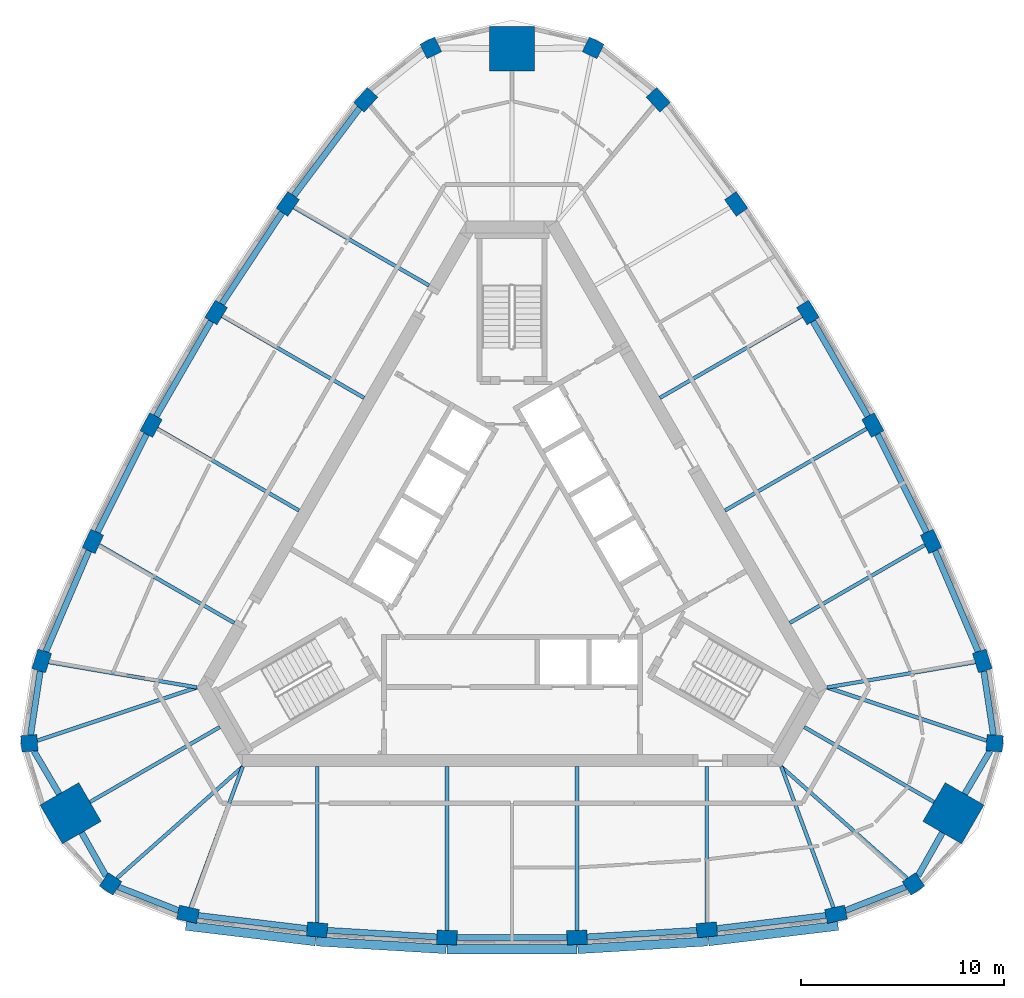
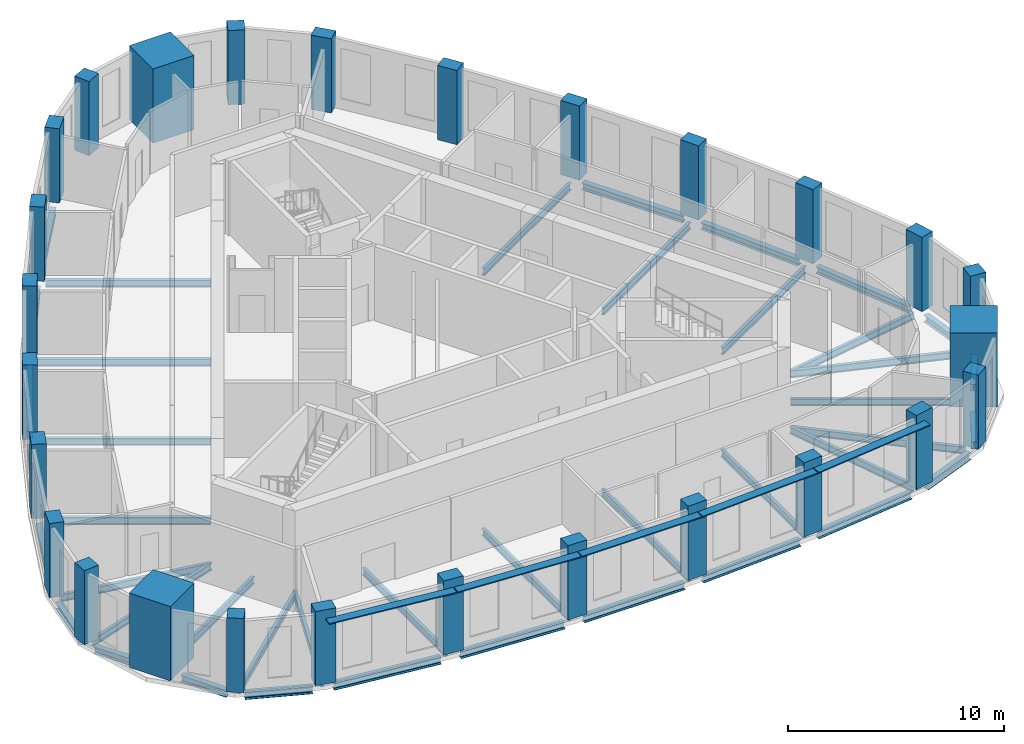
# One storey, part 1 of 10: 42 beams, 27 columns, 5 members.
"""IFC4 building model written with IfcOpenShell, lengths in metres."""

from ifc_helpers import new_model, si_unit, direction, frame, origin, origin_2d, place, context, subcontext, project, spatial, rectangle, i_section, extrude, material, material_profile, profile_set, type_object, element, save


model = new_model("IFC4")

# Units and contexts
model_context = context("Model", 3, precision=1e-05, world=origin(), true_north=direction((0.0, 1.0)))
body_context = subcontext(model_context, "Body", "Model", "MODEL_VIEW")
ifc_project = project(units=[si_unit("LENGTHUNIT", "METRE"), si_unit("AREAUNIT", "SQUARE_METRE"), si_unit("VOLUMEUNIT", "CUBIC_METRE"), si_unit("PLANEANGLEUNIT", "RADIAN"), si_unit("MASSUNIT", "GRAM", prefix="KILO")], contexts=[model_context])

# Site, building, storey
site_placement = place(None, origin())
site = spatial("IfcSite", under=ifc_project, at=site_placement, CompositionType="ELEMENT")
building_placement = place(site_placement, origin())
building = spatial("IfcBuilding", under=site, at=building_placement, Name="Mestral Congress Tower", CompositionType="ELEMENT")
storey_placement = place(building_placement, frame((0.0, 0.0, 296.39990234375)))
storey = spatial("IfcBuildingStorey", under=building, at=storey_placement, Name="L69", CompositionType="ELEMENT", Elevation=296.39990234375)

# Columns
ifc_material_1 = material(Name="Concrete C60/75", Category="concrete")
ifc_material_profile_1 = material_profile(ifc_material_1, rectangle(XDim=1.0, YDim=0.699951171875, at=origin_2d()), Name="RC 1000x700")
ifc_profile_set_1 = profile_set([ifc_material_profile_1], Name="Concrete C60/75")
column_type_1 = type_object("IfcColumnType", Name="Column RC 1000x700 C60/75", PredefinedType="COLUMN", material=ifc_profile_set_1)
for number, where, z_axis, x_axis, name in (
    (1, (-15.940673828125, -17.511962890625, 0.0), (0.0, 0.0, 1.0), (0.976233636503, -0.216720758026, 0.0), "COL-L69-C5-S00"),
    (2, (-9.587158203125, -18.273681640625, 0.0), (0.0, 0.0, 1.0), (0.995997816519, -0.089377567035, 0.0), "COL-L69-C5-S01"),
    (3, (-3.199462890625, -18.6552734375, 0.0), (0.0, 0.0, 1.0), (0.999555031657, -0.029828487872, 0.0), "COL-L69-C5-S02"),
    (4, (3.199462890625, -18.6552734375, 0.0), (0.0, 0.0, 1.0), (0.999555031657, 0.029828487872, 0.0), "COL-L69-C5-S03"),
    (5, (9.587158203125, -18.273681640625, 0.0), (0.0, 0.0, 1.0), (0.995997816519, 0.089377567035, 0.0), "COL-L69-C5-S04"),
    (6, (15.940673828125, -17.511962890625, 0.0), (0.0, 0.0, 1.0), (0.976233636503, 0.216720758026, 0.0), "COL-L69-C5-S05"),
    (7, (23.135986328125, -5.049072265625, 0.0), (0.0, 0.0, 1.0), (-0.300431136274, 0.953803508254, 0.0), "COL-L69-C5-E00"),
    (8, (20.618896484375, 0.833984375, 0.0), (0.0, 0.0, 1.0), (-0.420595664679, 0.907248194737, 0.0), "COL-L69-C5-E01"),
    (9, (17.755615234375, 6.556640625, 0.0), (0.0, 0.0, 1.0), (-0.473945287575, 0.880554293832, 0.0), "COL-L69-C5-E02"),
    (10, (14.55615234375, 12.098388671875, 0.0), (0.0, 0.0, 1.0), (-0.525609744083, 0.850725805959, 0.0), "COL-L69-C5-E03"),
    (11, (11.031982421875, 17.439697265625, 0.0), (0.0, 0.0, 1.0), (-0.57540215184, 0.817870627702, 0.0), "COL-L69-C5-E04"),
    (12, (7.1953125, 22.56103515625, 0.0), (0.0, 0.0, 1.0), (-0.67580250023, 0.737082750228, 0.0), "COL-L69-C5-E05"),
    (13, (-7.1953125, 22.56103515625, 0.0), (0.0, 0.0, 1.0), (-0.67580250023, -0.737082750228, 0.0), "COL-L69-C5-W00"),
    (14, (-11.031982421875, 17.439697265625, 0.0), (0.0, 0.0, 1.0), (-0.57540215184, -0.817870627702, 0.0), "COL-L69-C5-W01"),
    (15, (-14.55615234375, 12.098388671875, 0.0), (0.0, 0.0, 1.0), (-0.525609744083, -0.850725805959, 0.0), "COL-L69-C5-W02"),
    (16, (-17.755615234375, 6.556640625, 0.0), (0.0, 0.0, 1.0), (-0.473945287575, -0.880554293832, 0.0), "COL-L69-C5-W03"),
    (17, (-20.618896484375, 0.833984375, 0.0), (0.0, 0.0, 1.0), (-0.420595664679, -0.907248194737, 0.0), "COL-L69-C5-W04"),
    (18, (-23.135986328125, -5.049072265625, 0.0), (0.0, 0.0, 1.0), (-0.300431136274, -0.953803508254, 0.0), "COL-L69-C5-W05"),
):
    element("IfcColumn", number, at=place(storey_placement, frame(where, z_axis=z_axis, x_axis=x_axis)), inside=storey, type_object=column_type_1, Name=name, PredefinedType="COLUMN", context=body_context, shape_type="SweptSolid", body=[
        extrude(rectangle(XDim=1.0, YDim=0.699951171875, at=origin_2d()), origin(), (0.0, 0.0, 1.0), 4.2001953125),
    ])
ifc_material_profile_2 = material_profile(ifc_material_1, rectangle(XDim=0.800048828125, YDim=0.800048828125, at=origin_2d()), Name="RC 800x800")
ifc_profile_set_2 = profile_set([ifc_material_profile_2], Name="Concrete C60/75")
column_type_2 = type_object("IfcColumnType", Name="Column RC 800x800 C60/75", PredefinedType="COLUMN", material=ifc_profile_set_2)
for number, where, z_axis, x_axis, name in (
    (19, (19.75439453125, -16.0166015625, 0.0), (0.0, 0.0, 1.0), (0.826362775296, 0.563138139008, 0.0), "COL-L69-C5-SE1"),
    (20, (23.748046875, -9.099609375, 0.0), (0.0, 0.0, 1.0), (0.074510546573, 0.997220225652, 0.0), "COL-L69-C5-SE3"),
    (21, (3.993408203125, 25.1162109375, 0.0), (0.0, 0.0, 1.0), (-0.900873321869, 0.434082086644, 0.0), "COL-L69-C5-N1"),
    (22, (-3.993408203125, 25.1162109375, 0.0), (0.0, 0.0, 1.0), (-0.900873321869, -0.434082086644, 0.0), "COL-L69-C5-N3"),
    (23, (-23.748046875, -9.099609375, 0.0), (0.0, 0.0, 1.0), (0.074510546573, -0.997220225652, 0.0), "COL-L69-C5-SW1"),
    (24, (-19.75439453125, -16.0166015625, 0.0), (0.0, 0.0, 1.0), (0.826362775296, -0.563138139008, 0.0), "COL-L69-C5-SW3"),
):
    element("IfcColumn", number, at=place(storey_placement, frame(where, z_axis=z_axis, x_axis=x_axis)), inside=storey, type_object=column_type_2, Name=name, PredefinedType="COLUMN", context=body_context, shape_type="SweptSolid", body=[
        extrude(rectangle(XDim=0.800048828125, YDim=0.800048828125, at=origin_2d()), origin(), (0.0, 0.0, 1.0), 4.2001953125),
    ])
ifc_material_profile_3 = material_profile(ifc_material_1, rectangle(XDim=2.199951171875, YDim=2.199951171875, at=origin_2d()), Name="RC 2200x2200")
ifc_profile_set_3 = profile_set([ifc_material_profile_3], Name="Concrete C60/75")
column_type_3 = type_object("IfcColumnType", Name="Mega column RC 2200x2200 C60/75", PredefinedType="COLUMN", material=ifc_profile_set_3)
for number, where, z_axis, x_axis, name in (
    (25, (21.71826171875, -12.5390625, 0.0), (0.0, 0.0, 1.0), (0.866025403784, -0.5, 0.0), "COL-L69-PY5-SE"),
    (26, (0.0, 25.078125, 0.0), (0.0, 0.0, 1.0), (0.0, 1.0, 0.0), "COL-L69-PY5-N"),
    (27, (-21.71826171875, -12.5390625, 0.0), (0.0, 0.0, 1.0), (-0.866025403784, -0.5, 0.0), "COL-L69-PY5-SW"),
):
    element("IfcColumn", number, at=place(storey_placement, frame(where, z_axis=z_axis, x_axis=x_axis)), inside=storey, type_object=column_type_3, Name=name, PredefinedType="COLUMN", context=body_context, shape_type="SweptSolid", body=[
        extrude(rectangle(XDim=2.199951171875, YDim=2.199951171875, at=origin_2d()), origin(), (0.0, 0.0, 1.0), 4.2001953125),
    ])

# Members
ifc_material_2 = material(Name="Glazed ceramic", Category="masonry")
ifc_material_profile_4 = material_profile(ifc_material_2, rectangle(XDim=0.449951171875, YDim=0.06005859375, at=origin_2d()), Name="Ceramic blade 450 x 60")
ifc_profile_set_4 = profile_set([ifc_material_profile_4], Name="Glazed ceramic")
member_type = type_object("IfcMemberType", Name="Facade sunshade blade 450 x 60", PredefinedType="USERDEFINED", material=ifc_profile_set_4)
member_1_placement = place(storey_placement, frame((-16.04638671875, -18.078369140625, 3.68017578125), z_axis=(0.992890306953, -0.119032929725, 0.0), x_axis=(0.119032929725, 0.992890306953, 0.0)))
element("IfcMember", 28, at=member_1_placement, inside=storey, type_object=member_type, Name="Sunshade F0-00", ObjectType="SUNSHADE", PredefinedType="USERDEFINED", context=body_context, shape_type="SweptSolid", body=[
    extrude(rectangle(XDim=0.449951171875, YDim=0.06005859375, at=origin_2d()), origin(), (0.0, 0.0, 1.0), 6.429931640625),
])
member_2_placement = place(storey_placement, frame((-9.614990234375, -18.84814453125, 3.68017578125), z_axis=(0.998222174469, -0.059602771735, 0.0), x_axis=(0.059602771735, 0.998222174469, 0.0)))
element("IfcMember", 29, at=member_2_placement, inside=storey, type_object=member_type, Name="Sunshade F0-01", ObjectType="SUNSHADE", PredefinedType="USERDEFINED", context=body_context, shape_type="SweptSolid", body=[
    extrude(rectangle(XDim=0.449951171875, YDim=0.06005859375, at=origin_2d()), origin(), (0.0, 0.0, 1.0), 6.385986328125),
])
member_3_placement = place(storey_placement, frame((-3.193115234375, -19.230224609375, 3.68017578125), z_axis=(1.0, 0.0, 0.0), x_axis=(0.0, 1.0, 0.0)))
element("IfcMember", 30, at=member_3_placement, inside=storey, type_object=member_type, Name="Sunshade F0-02", ObjectType="SUNSHADE", PredefinedType="USERDEFINED", context=body_context, shape_type="SweptSolid", body=[
    extrude(rectangle(XDim=0.449951171875, YDim=0.06005859375, at=origin_2d()), origin(), (0.0, 0.0, 1.0), 6.38623046875),
])
member_4_placement = place(storey_placement, frame((3.240478515625, -19.228759765625, 3.68017578125), z_axis=(0.998222174469, 0.059602771735, 0.0), x_axis=(-0.059602771735, 0.998222174469, 0.0)))
element("IfcMember", 31, at=member_4_placement, inside=storey, type_object=member_type, Name="Sunshade F0-03", ObjectType="SUNSHADE", PredefinedType="USERDEFINED", context=body_context, shape_type="SweptSolid", body=[
    extrude(rectangle(XDim=0.449951171875, YDim=0.06005859375, at=origin_2d()), origin(), (0.0, 0.0, 1.0), 6.385986328125),
])
member_5_placement = place(storey_placement, frame((9.662109375, -18.84375, 3.68017578125), z_axis=(0.992890306953, 0.119032929725, 0.0), x_axis=(-0.119032929725, 0.992890306953, 0.0)))
element("IfcMember", 32, at=member_5_placement, inside=storey, type_object=member_type, Name="Sunshade F0-04", ObjectType="SUNSHADE", PredefinedType="USERDEFINED", context=body_context, shape_type="SweptSolid", body=[
    extrude(rectangle(XDim=0.449951171875, YDim=0.06005859375, at=origin_2d()), origin(), (0.0, 0.0, 1.0), 6.429931640625),
])

# Beams
ifc_material_3 = material(Name="Steel S355", Category="steel")
ifc_material_profile_5 = material_profile(ifc_material_3, i_section(OverallWidth=0.179931640625, OverallDepth=0.39990234375, WebThickness=0.008544921875, FlangeThickness=0.013427734375, FilletRadius=0.02099609375, at=origin_2d()), Name="IPE 400")
ifc_profile_set_5 = profile_set([ifc_material_profile_5], Name="Steel S355")
beam_type_1 = type_object("IfcBeamType", Name="Floor beam IPE 400 S355", PredefinedType="BEAM", material=ifc_profile_set_5)
beam_1_placement = place(storey_placement, frame((-15.81787109375, -17.1806640625, -0.449951171875), z_axis=(0.347399345496, 0.937717278687, 0.0), x_axis=(-0.937717278687, 0.347399345496, 0.0)))
element("IfcBeam", 33, at=beam_1_placement, inside=storey, type_object=beam_type_1, Name="BM-L69-RB5-S00", PredefinedType="BEAM", context=body_context, shape_type="SweptSolid", body=[
    extrude(i_section(OverallWidth=0.179931640625, OverallDepth=0.39990234375, WebThickness=0.008544921875, FlangeThickness=0.013427734375, FilletRadius=0.02099609375, at=origin_2d()), origin(), (0.0, 0.0, 1.0), 7.39111328125),
])
beam_2_placement = place(storey_placement, frame((-9.587158203125, -17.92236328125, -0.449951171875), z_axis=(0.0, 1.0, 0.0), x_axis=(-1.0, 0.0, 0.0)))
element("IfcBeam", 34, at=beam_2_placement, inside=storey, type_object=beam_type_1, Name="BM-L69-RB5-S01", PredefinedType="BEAM", context=body_context, shape_type="SweptSolid", body=[
    extrude(i_section(OverallWidth=0.179931640625, OverallDepth=0.39990234375, WebThickness=0.008544921875, FlangeThickness=0.013427734375, FilletRadius=0.02099609375, at=origin_2d()), origin(), (0.0, 0.0, 1.0), 7.67236328125),
])
for number, where, z_axis, x_axis, name in (
    (35, (-3.199462890625, -18.304931640625, -0.449951171875), (0.0, 1.0, 0.0), (-1.0, 0.0, 0.0), "BM-L69-RB5-S02"),
    (36, (3.199462890625, -18.304931640625, -0.449951171875), (0.0, 1.0, 0.0), (-1.0, 0.0, 0.0), "BM-L69-RB5-S03"),
):
    element("IfcBeam", number, at=place(storey_placement, frame(where, z_axis=z_axis, x_axis=x_axis)), inside=storey, type_object=beam_type_1, Name=name, PredefinedType="BEAM", context=body_context, shape_type="SweptSolid", body=[
        extrude(i_section(OverallWidth=0.179931640625, OverallDepth=0.39990234375, WebThickness=0.008544921875, FlangeThickness=0.013427734375, FilletRadius=0.02099609375, at=origin_2d()), origin(), (0.0, 0.0, 1.0), 8.054931640625),
    ])
beam_3_placement = place(storey_placement, frame((9.587158203125, -17.92236328125, -0.449951171875), z_axis=(0.0, 1.0, 0.0), x_axis=(-1.0, 0.0, 0.0)))
element("IfcBeam", 37, at=beam_3_placement, inside=storey, type_object=beam_type_1, Name="BM-L69-RB5-S04", PredefinedType="BEAM", context=body_context, shape_type="SweptSolid", body=[
    extrude(i_section(OverallWidth=0.179931640625, OverallDepth=0.39990234375, WebThickness=0.008544921875, FlangeThickness=0.013427734375, FilletRadius=0.02099609375, at=origin_2d()), origin(), (0.0, 0.0, 1.0), 7.67236328125),
])
beam_4_placement = place(storey_placement, frame((15.81787109375, -17.1806640625, -0.449951171875), z_axis=(-0.347399345496, 0.937717278687, 0.0), x_axis=(-0.937717278687, -0.347399345496, 0.0)))
element("IfcBeam", 38, at=beam_4_placement, inside=storey, type_object=beam_type_1, Name="BM-L69-RB5-S05", PredefinedType="BEAM", context=body_context, shape_type="SweptSolid", body=[
    extrude(i_section(OverallWidth=0.179931640625, OverallDepth=0.39990234375, WebThickness=0.008544921875, FlangeThickness=0.013427734375, FilletRadius=0.02099609375, at=origin_2d()), origin(), (0.0, 0.0, 1.0), 7.39111328125),
])
beam_5_placement = place(storey_placement, frame((19.44580078125, -15.742919921875, -0.449951171875), z_axis=(-0.74826277439, 0.663402457383, 0.0), x_axis=(-0.663402457383, -0.74826277439, 0.0)))
element("IfcBeam", 39, at=beam_5_placement, inside=storey, type_object=beam_type_1, Name="BM-L69-RB5-SE1", PredefinedType="BEAM", context=body_context, shape_type="SweptSolid", body=[
    extrude(i_section(OverallWidth=0.179931640625, OverallDepth=0.39990234375, WebThickness=0.008544921875, FlangeThickness=0.013427734375, FilletRadius=0.02099609375, at=origin_2d()), origin(), (0.0, 0.0, 1.0), 8.280029296875),
])
beam_6_placement = place(storey_placement, frame((20.765625, -11.989013671875, -0.449951171875), z_axis=(-0.866031296205, 0.499989793889, 0.0), x_axis=(-0.499989793889, -0.866031296205, 0.0)))
element("IfcBeam", 40, at=beam_6_placement, inside=storey, type_object=beam_type_1, Name="BM-L69-RB5-SE", PredefinedType="BEAM", context=body_context, shape_type="SweptSolid", body=[
    extrude(i_section(OverallWidth=0.179931640625, OverallDepth=0.39990234375, WebThickness=0.008544921875, FlangeThickness=0.013427734375, FilletRadius=0.02099609375, at=origin_2d()), origin(), (0.0, 0.0, 1.0), 7.378173828125),
])
beam_7_placement = place(storey_placement, frame((23.356689453125, -8.968994140625, -0.449951171875), z_axis=(-0.948659706446, 0.316298532031, 0.0), x_axis=(-0.316298532031, -0.948659706446, 0.0)))
element("IfcBeam", 41, at=beam_7_placement, inside=storey, type_object=beam_type_1, Name="BM-L69-RB5-SE3", PredefinedType="BEAM", context=body_context, shape_type="SweptSolid", body=[
    extrude(i_section(OverallWidth=0.179931640625, OverallDepth=0.39990234375, WebThickness=0.008544921875, FlangeThickness=0.013427734375, FilletRadius=0.02099609375, at=origin_2d()), origin(), (0.0, 0.0, 1.0), 8.27978515625),
])
beam_8_placement = place(storey_placement, frame((22.787841796875, -5.1083984375, -0.449951171875), z_axis=(-0.985786503242, -0.168002886958, 0.0), x_axis=(0.168002886958, -0.985786503242, 0.0)))
element("IfcBeam", 42, at=beam_8_placement, inside=storey, type_object=beam_type_1, Name="BM-L69-RB5-E00", PredefinedType="BEAM", context=body_context, shape_type="SweptSolid", body=[
    extrude(i_section(OverallWidth=0.179931640625, OverallDepth=0.39990234375, WebThickness=0.008544921875, FlangeThickness=0.013427734375, FilletRadius=0.02099609375, at=origin_2d()), origin(), (0.0, 0.0, 1.0), 7.390869140625),
])
beam_9_placement = place(storey_placement, frame((20.314697265625, 0.658447265625, -0.449951171875), z_axis=(-0.866019720907, -0.500009842903, 0.0), x_axis=(0.500009842903, -0.866019720907, 0.0)))
element("IfcBeam", 43, at=beam_9_placement, inside=storey, type_object=beam_type_1, Name="BM-L69-RB5-E01", PredefinedType="BEAM", context=body_context, shape_type="SweptSolid", body=[
    extrude(i_section(OverallWidth=0.179931640625, OverallDepth=0.39990234375, WebThickness=0.008544921875, FlangeThickness=0.013427734375, FilletRadius=0.02099609375, at=origin_2d()), origin(), (0.0, 0.0, 1.0), 7.672119140625),
])
for number, where, z_axis, x_axis, name in (
    (44, (17.452392578125, 6.381591796875, -0.449951171875), (-0.866020537834, -0.500008427979, 0.0), (0.500008427979, -0.866020537834, 0.0), "BM-L69-RB5-E02"),
    (45, (14.2529296875, 11.92333984375, -0.449951171875), (-0.866033662086, -0.499985695929, 0.0), (0.499985695929, -0.866033662086, 0.0), "BM-L69-RB5-E03"),
):
    element("IfcBeam", number, at=place(storey_placement, frame(where, z_axis=z_axis, x_axis=x_axis)), inside=storey, type_object=beam_type_1, Name=name, PredefinedType="BEAM", context=body_context, shape_type="SweptSolid", body=[
        extrude(i_section(OverallWidth=0.179931640625, OverallDepth=0.39990234375, WebThickness=0.008544921875, FlangeThickness=0.013427734375, FilletRadius=0.02099609375, at=origin_2d()), origin(), (0.0, 0.0, 1.0), 8.054931640625),
    ])
beam_10_placement = place(storey_placement, frame((-10.7275390625, 17.263916015625, -0.449951171875), z_axis=(0.866019720907, -0.500009842903, 0.0), x_axis=(0.500009842903, 0.866019720907, 0.0)))
element("IfcBeam", 46, at=beam_10_placement, inside=storey, type_object=beam_type_1, Name="BM-L69-RB5-W01", PredefinedType="BEAM", context=body_context, shape_type="SweptSolid", body=[
    extrude(i_section(OverallWidth=0.179931640625, OverallDepth=0.39990234375, WebThickness=0.008544921875, FlangeThickness=0.013427734375, FilletRadius=0.02099609375, at=origin_2d()), origin(), (0.0, 0.0, 1.0), 7.672119140625),
])
for number, where, z_axis, x_axis, name in (
    (47, (-14.2529296875, 11.92333984375, -0.449951171875), (0.866033662086, -0.499985695929, 0.0), (0.499985695929, 0.866033662086, 0.0), "BM-L69-RB5-W02"),
    (48, (-17.452392578125, 6.381591796875, -0.449951171875), (0.866020537834, -0.500008427979, 0.0), (0.500008427979, 0.866020537834, 0.0), "BM-L69-RB5-W03"),
):
    element("IfcBeam", number, at=place(storey_placement, frame(where, z_axis=z_axis, x_axis=x_axis)), inside=storey, type_object=beam_type_1, Name=name, PredefinedType="BEAM", context=body_context, shape_type="SweptSolid", body=[
        extrude(i_section(OverallWidth=0.179931640625, OverallDepth=0.39990234375, WebThickness=0.008544921875, FlangeThickness=0.013427734375, FilletRadius=0.02099609375, at=origin_2d()), origin(), (0.0, 0.0, 1.0), 8.054931640625),
    ])
beam_11_placement = place(storey_placement, frame((-20.314697265625, 0.658447265625, -0.449951171875), z_axis=(0.866019720907, -0.500009842903, 0.0), x_axis=(0.500009842903, 0.866019720907, 0.0)))
element("IfcBeam", 49, at=beam_11_placement, inside=storey, type_object=beam_type_1, Name="BM-L69-RB5-W04", PredefinedType="BEAM", context=body_context, shape_type="SweptSolid", body=[
    extrude(i_section(OverallWidth=0.179931640625, OverallDepth=0.39990234375, WebThickness=0.008544921875, FlangeThickness=0.013427734375, FilletRadius=0.02099609375, at=origin_2d()), origin(), (0.0, 0.0, 1.0), 7.672119140625),
])
beam_12_placement = place(storey_placement, frame((-22.787841796875, -5.1083984375, -0.449951171875), z_axis=(0.985786503242, -0.168002886958, 0.0), x_axis=(0.168002886958, 0.985786503242, 0.0)))
element("IfcBeam", 50, at=beam_12_placement, inside=storey, type_object=beam_type_1, Name="BM-L69-RB5-W05", PredefinedType="BEAM", context=body_context, shape_type="SweptSolid", body=[
    extrude(i_section(OverallWidth=0.179931640625, OverallDepth=0.39990234375, WebThickness=0.008544921875, FlangeThickness=0.013427734375, FilletRadius=0.02099609375, at=origin_2d()), origin(), (0.0, 0.0, 1.0), 7.390869140625),
])
beam_13_placement = place(storey_placement, frame((-23.356689453125, -8.968994140625, -0.449951171875), z_axis=(0.948659706446, 0.316298532031, 0.0), x_axis=(-0.316298532031, 0.948659706446, 0.0)))
element("IfcBeam", 51, at=beam_13_placement, inside=storey, type_object=beam_type_1, Name="BM-L69-RB5-SW1", PredefinedType="BEAM", context=body_context, shape_type="SweptSolid", body=[
    extrude(i_section(OverallWidth=0.179931640625, OverallDepth=0.39990234375, WebThickness=0.008544921875, FlangeThickness=0.013427734375, FilletRadius=0.02099609375, at=origin_2d()), origin(), (0.0, 0.0, 1.0), 8.27978515625),
])
beam_14_placement = place(storey_placement, frame((-20.765625, -11.989013671875, -0.449951171875), z_axis=(0.866031296205, 0.499989793889, 0.0), x_axis=(-0.499989793889, 0.866031296205, 0.0)))
element("IfcBeam", 52, at=beam_14_placement, inside=storey, type_object=beam_type_1, Name="BM-L69-RB5-SW", PredefinedType="BEAM", context=body_context, shape_type="SweptSolid", body=[
    extrude(i_section(OverallWidth=0.179931640625, OverallDepth=0.39990234375, WebThickness=0.008544921875, FlangeThickness=0.013427734375, FilletRadius=0.02099609375, at=origin_2d()), origin(), (0.0, 0.0, 1.0), 7.378173828125),
])
beam_15_placement = place(storey_placement, frame((-19.44580078125, -15.742919921875, -0.449951171875), z_axis=(0.74826277439, 0.663402457383, 0.0), x_axis=(-0.663402457383, 0.74826277439, 0.0)))
element("IfcBeam", 53, at=beam_15_placement, inside=storey, type_object=beam_type_1, Name="BM-L69-RB5-SW3", PredefinedType="BEAM", context=body_context, shape_type="SweptSolid", body=[
    extrude(i_section(OverallWidth=0.179931640625, OverallDepth=0.39990234375, WebThickness=0.008544921875, FlangeThickness=0.013427734375, FilletRadius=0.02099609375, at=origin_2d()), origin(), (0.0, 0.0, 1.0), 8.280029296875),
])
ifc_material_profile_6 = material_profile(ifc_material_3, i_section(OverallWidth=0.300048828125, OverallDepth=0.389892578125, WebThickness=0.010986328125, FlangeThickness=0.01904296875, FilletRadius=0.027099609375, at=origin_2d()), Name="HEA 400")
ifc_profile_set_6 = profile_set([ifc_material_profile_6], Name="Steel S355")
beam_type_2 = type_object("IfcBeamType", Name="Spandrel beam HEA 400 S355", PredefinedType="BEAM", material=ifc_profile_set_6)
beam_16_placement = place(storey_placement, frame((-15.44189453125, -17.57177734375, -0.44482421875), z_axis=(0.992890319222, -0.119032827389, 0.0), x_axis=(0.119032827389, 0.992890319222, 0.0)))
element("IfcBeam", 54, at=beam_16_placement, inside=storey, type_object=beam_type_2, Name="SP-L69-SB5-S00", PredefinedType="BEAM", context=body_context, shape_type="SweptSolid", body=[
    extrude(i_section(OverallWidth=0.300048828125, OverallDepth=0.389892578125, WebThickness=0.010986328125, FlangeThickness=0.01904296875, FilletRadius=0.027099609375, at=origin_2d()), origin(), (0.0, 0.0, 1.0), 5.396240234375),
])
beam_17_placement = place(storey_placement, frame((-9.087890625, -18.303466796875, -0.44482421875), z_axis=(0.998219522722, -0.059647166371, 0.0), x_axis=(0.059647166371, 0.998219522722, 0.0)))
element("IfcBeam", 55, at=beam_17_placement, inside=storey, type_object=beam_type_2, Name="SP-L69-SB5-S01", PredefinedType="BEAM", context=body_context, shape_type="SweptSolid", body=[
    extrude(i_section(OverallWidth=0.300048828125, OverallDepth=0.389892578125, WebThickness=0.010986328125, FlangeThickness=0.01904296875, FilletRadius=0.027099609375, at=origin_2d()), origin(), (0.0, 0.0, 1.0), 5.398681640625),
])
beam_18_placement = place(storey_placement, frame((-2.69921875, -18.6552734375, -0.44482421875), z_axis=(1.0, 0.0, 0.0), x_axis=(0.0, 1.0, 0.0)))
element("IfcBeam", 56, at=beam_18_placement, inside=storey, type_object=beam_type_2, Name="SP-L69-SB5-S02", PredefinedType="BEAM", context=body_context, shape_type="SweptSolid", body=[
    extrude(i_section(OverallWidth=0.300048828125, OverallDepth=0.389892578125, WebThickness=0.010986328125, FlangeThickness=0.01904296875, FilletRadius=0.027099609375, at=origin_2d()), origin(), (0.0, 0.0, 1.0), 5.3984375),
])
beam_19_placement = place(storey_placement, frame((3.69873046875, -18.62548828125, -0.44482421875), z_axis=(0.998219522722, 0.059647166371, 0.0), x_axis=(-0.059647166371, 0.998219522722, 0.0)))
element("IfcBeam", 57, at=beam_19_placement, inside=storey, type_object=beam_type_2, Name="SP-L69-SB5-S03", PredefinedType="BEAM", context=body_context, shape_type="SweptSolid", body=[
    extrude(i_section(OverallWidth=0.300048828125, OverallDepth=0.389892578125, WebThickness=0.010986328125, FlangeThickness=0.01904296875, FilletRadius=0.027099609375, at=origin_2d()), origin(), (0.0, 0.0, 1.0), 5.398681640625),
])
beam_20_placement = place(storey_placement, frame((10.083984375, -18.214111328125, -0.44482421875), z_axis=(0.992890319222, 0.119032827389, 0.0), x_axis=(-0.119032827389, 0.992890319222, 0.0)))
element("IfcBeam", 58, at=beam_20_placement, inside=storey, type_object=beam_type_2, Name="SP-L69-SB5-S04", PredefinedType="BEAM", context=body_context, shape_type="SweptSolid", body=[
    extrude(i_section(OverallWidth=0.300048828125, OverallDepth=0.389892578125, WebThickness=0.010986328125, FlangeThickness=0.01904296875, FilletRadius=0.027099609375, at=origin_2d()), origin(), (0.0, 0.0, 1.0), 5.396240234375),
])
beam_21_placement = place(storey_placement, frame((16.411865234375, -17.3271484375, -0.44482421875), z_axis=(0.930980873283, 0.365067957485, 0.0), x_axis=(-0.365067957485, 0.930980873283, 0.0)))
element("IfcBeam", 59, at=beam_21_placement, inside=storey, type_object=beam_type_2, Name="SP-L69-SB5-S05", PredefinedType="BEAM", context=body_context, shape_type="SweptSolid", body=[
    extrude(i_section(OverallWidth=0.300048828125, OverallDepth=0.389892578125, WebThickness=0.010986328125, FlangeThickness=0.01904296875, FilletRadius=0.027099609375, at=origin_2d()), origin(), (0.0, 0.0, 1.0), 3.179931640625),
])
beam_22_placement = place(storey_placement, frame((19.9736328125, -15.628173828125, -0.44482421875), z_axis=(0.491728558518, 0.870748542771, 0.0), x_axis=(-0.870748542771, 0.491728558518, 0.0)))
element("IfcBeam", 60, at=beam_22_placement, inside=storey, type_object=beam_type_2, Name="SP-L69-SB5-SE1", PredefinedType="BEAM", context=body_context, shape_type="SweptSolid", body=[
    extrude(i_section(OverallWidth=0.300048828125, OverallDepth=0.389892578125, WebThickness=0.010986328125, FlangeThickness=0.01904296875, FilletRadius=0.027099609375, at=origin_2d()), origin(), (0.0, 0.0, 1.0), 2.44775390625),
])
beam_23_placement = place(storey_placement, frame((22.27734375, -11.591552734375, -0.44482421875), z_axis=(0.508218412694, 0.861228218882, 0.0), x_axis=(-0.861228218882, 0.508218412694, 0.0)))
element("IfcBeam", 61, at=beam_23_placement, inside=storey, type_object=beam_type_2, Name="SP-L69-SB5-SE", PredefinedType="BEAM", context=body_context, shape_type="SweptSolid", body=[
    extrude(i_section(OverallWidth=0.300048828125, OverallDepth=0.389892578125, WebThickness=0.010986328125, FlangeThickness=0.01904296875, FilletRadius=0.027099609375, at=origin_2d()), origin(), (0.0, 0.0, 1.0), 2.447509765625),
])
beam_24_placement = place(storey_placement, frame((23.686767578125, -8.69384765625, -0.44482421875), z_axis=(-0.149402818736, 0.98877641444, 0.0), x_axis=(-0.98877641444, -0.149402818736, 0.0)))
element("IfcBeam", 62, at=beam_24_placement, inside=storey, type_object=beam_type_2, Name="SP-L69-SB5-SE3", PredefinedType="BEAM", context=body_context, shape_type="SweptSolid", body=[
    extrude(i_section(OverallWidth=0.300048828125, OverallDepth=0.389892578125, WebThickness=0.010986328125, FlangeThickness=0.01904296875, FilletRadius=0.027099609375, at=origin_2d()), origin(), (0.0, 0.0, 1.0), 3.179931640625),
])
beam_25_placement = place(storey_placement, frame((22.9384765625, -4.587158203125, -0.44482421875), z_axis=(-0.393367759324, 0.919381208164, 0.0), x_axis=(-0.919381208164, -0.393367759324, 0.0)))
element("IfcBeam", 63, at=beam_25_placement, inside=storey, type_object=beam_type_2, Name="SP-L69-SB5-E00", PredefinedType="BEAM", context=body_context, shape_type="SweptSolid", body=[
    extrude(i_section(OverallWidth=0.300048828125, OverallDepth=0.389892578125, WebThickness=0.010986328125, FlangeThickness=0.01904296875, FilletRadius=0.027099609375, at=origin_2d()), origin(), (0.0, 0.0, 1.0), 5.396484375),
])
beam_26_placement = place(storey_placement, frame((20.395263671875, 1.281494140625, -0.44482421875), z_axis=(-0.44748491494, 0.894291479832, 0.0), x_axis=(-0.894291479832, -0.44748491494, 0.0)))
element("IfcBeam", 64, at=beam_26_placement, inside=storey, type_object=beam_type_2, Name="SP-L69-SB5-E01", PredefinedType="BEAM", context=body_context, shape_type="SweptSolid", body=[
    extrude(i_section(OverallWidth=0.300048828125, OverallDepth=0.389892578125, WebThickness=0.010986328125, FlangeThickness=0.01904296875, FilletRadius=0.027099609375, at=origin_2d()), origin(), (0.0, 0.0, 1.0), 5.3984375),
])
beam_27_placement = place(storey_placement, frame((17.505615234375, 6.989990234375, -0.44482421875), z_axis=(-0.500025177812, 0.86601086688, 0.0), x_axis=(-0.86601086688, -0.500025177812, 0.0)))
element("IfcBeam", 65, at=beam_27_placement, inside=storey, type_object=beam_type_2, Name="SP-L69-SB5-E02", PredefinedType="BEAM", context=body_context, shape_type="SweptSolid", body=[
    extrude(i_section(OverallWidth=0.300048828125, OverallDepth=0.389892578125, WebThickness=0.010986328125, FlangeThickness=0.01904296875, FilletRadius=0.027099609375, at=origin_2d()), origin(), (0.0, 0.0, 1.0), 5.398681640625),
])
beam_28_placement = place(storey_placement, frame((-7.49658203125, 22.158935546875, -0.44482421875), z_axis=(-0.599529393236, -0.800352738888, 0.0), x_axis=(0.800352738888, -0.599529393236, 0.0)))
element("IfcBeam", 66, at=beam_28_placement, inside=storey, type_object=beam_type_2, Name="SP-L69-SB5-W00", PredefinedType="BEAM", context=body_context, shape_type="SweptSolid", body=[
    extrude(i_section(OverallWidth=0.300048828125, OverallDepth=0.389892578125, WebThickness=0.010986328125, FlangeThickness=0.01904296875, FilletRadius=0.027099609375, at=origin_2d()), origin(), (0.0, 0.0, 1.0), 5.396484375),
])
beam_29_placement = place(storey_placement, frame((-11.307373046875, 17.02197265625, -0.44482421875), z_axis=(-0.550748957655, -0.83467094453, 0.0), x_axis=(0.83467094453, -0.550748957655, 0.0)))
element("IfcBeam", 67, at=beam_29_placement, inside=storey, type_object=beam_type_2, Name="SP-L69-SB5-W01", PredefinedType="BEAM", context=body_context, shape_type="SweptSolid", body=[
    extrude(i_section(OverallWidth=0.300048828125, OverallDepth=0.389892578125, WebThickness=0.010986328125, FlangeThickness=0.01904296875, FilletRadius=0.027099609375, at=origin_2d()), origin(), (0.0, 0.0, 1.0), 5.3984375),
])
beam_30_placement = place(storey_placement, frame((-14.80615234375, 11.665283203125, -0.44482421875), z_axis=(-0.500025177812, -0.86601086688, 0.0), x_axis=(0.86601086688, -0.500025177812, 0.0)))
element("IfcBeam", 68, at=beam_30_placement, inside=storey, type_object=beam_type_2, Name="SP-L69-SB5-W02", PredefinedType="BEAM", context=body_context, shape_type="SweptSolid", body=[
    extrude(i_section(OverallWidth=0.300048828125, OverallDepth=0.389892578125, WebThickness=0.010986328125, FlangeThickness=0.01904296875, FilletRadius=0.027099609375, at=origin_2d()), origin(), (0.0, 0.0, 1.0), 5.398681640625),
])
beam_31_placement = place(storey_placement, frame((-17.9794921875, 6.109375, -0.44482421875), z_axis=(-0.44748491494, -0.894291479832, 0.0), x_axis=(0.894291479832, -0.44748491494, 0.0)))
element("IfcBeam", 69, at=beam_31_placement, inside=storey, type_object=beam_type_2, Name="SP-L69-SB5-W03", PredefinedType="BEAM", context=body_context, shape_type="SweptSolid", body=[
    extrude(i_section(OverallWidth=0.300048828125, OverallDepth=0.389892578125, WebThickness=0.010986328125, FlangeThickness=0.01904296875, FilletRadius=0.027099609375, at=origin_2d()), origin(), (0.0, 0.0, 1.0), 5.3984375),
])
beam_32_placement = place(storey_placement, frame((-20.815673828125, 0.374267578125, -0.44482421875), z_axis=(-0.393367759324, -0.919381208164, 0.0), x_axis=(0.919381208164, -0.393367759324, 0.0)))
element("IfcBeam", 70, at=beam_32_placement, inside=storey, type_object=beam_type_2, Name="SP-L69-SB5-W04", PredefinedType="BEAM", context=body_context, shape_type="SweptSolid", body=[
    extrude(i_section(OverallWidth=0.300048828125, OverallDepth=0.389892578125, WebThickness=0.010986328125, FlangeThickness=0.01904296875, FilletRadius=0.027099609375, at=origin_2d()), origin(), (0.0, 0.0, 1.0), 5.396484375),
])
beam_33_placement = place(storey_placement, frame((-23.211669921875, -5.549560546875, -0.44482421875), z_axis=(-0.149402818736, -0.98877641444, 0.0), x_axis=(0.98877641444, -0.149402818736, 0.0)))
element("IfcBeam", 71, at=beam_33_placement, inside=storey, type_object=beam_type_2, Name="SP-L69-SB5-W05", PredefinedType="BEAM", context=body_context, shape_type="SweptSolid", body=[
    extrude(i_section(OverallWidth=0.300048828125, OverallDepth=0.389892578125, WebThickness=0.010986328125, FlangeThickness=0.01904296875, FilletRadius=0.027099609375, at=origin_2d()), origin(), (0.0, 0.0, 1.0), 3.179931640625),
])
beam_34_placement = place(storey_placement, frame((-23.521240234375, -9.483642578125, -0.44482421875), z_axis=(0.508218412694, -0.861228218882, 0.0), x_axis=(0.861228218882, 0.508218412694, 0.0)))
element("IfcBeam", 72, at=beam_34_placement, inside=storey, type_object=beam_type_2, Name="SP-L69-SB5-SW1", PredefinedType="BEAM", context=body_context, shape_type="SweptSolid", body=[
    extrude(i_section(OverallWidth=0.300048828125, OverallDepth=0.389892578125, WebThickness=0.010986328125, FlangeThickness=0.01904296875, FilletRadius=0.027099609375, at=origin_2d()), origin(), (0.0, 0.0, 1.0), 2.447509765625),
])
beam_35_placement = place(storey_placement, frame((-21.17724609375, -13.496826171875, -0.44482421875), z_axis=(0.491728558518, -0.870748542771, 0.0), x_axis=(0.870748542771, 0.491728558518, 0.0)))
element("IfcBeam", 73, at=beam_35_placement, inside=storey, type_object=beam_type_2, Name="SP-L69-SB5-SW", PredefinedType="BEAM", context=body_context, shape_type="SweptSolid", body=[
    extrude(i_section(OverallWidth=0.300048828125, OverallDepth=0.389892578125, WebThickness=0.010986328125, FlangeThickness=0.01904296875, FilletRadius=0.027099609375, at=origin_2d()), origin(), (0.0, 0.0, 1.0), 2.44775390625),
])
beam_36_placement = place(storey_placement, frame((-19.372314453125, -16.166259765625, -0.44482421875), z_axis=(0.930980873283, -0.365067957485, 0.0), x_axis=(0.365067957485, 0.930980873283, 0.0)))
element("IfcBeam", 74, at=beam_36_placement, inside=storey, type_object=beam_type_2, Name="SP-L69-SB5-SW3", PredefinedType="BEAM", context=body_context, shape_type="SweptSolid", body=[
    extrude(i_section(OverallWidth=0.300048828125, OverallDepth=0.389892578125, WebThickness=0.010986328125, FlangeThickness=0.01904296875, FilletRadius=0.027099609375, at=origin_2d()), origin(), (0.0, 0.0, 1.0), 3.179931640625),
])

save(model, "model.ifc")
